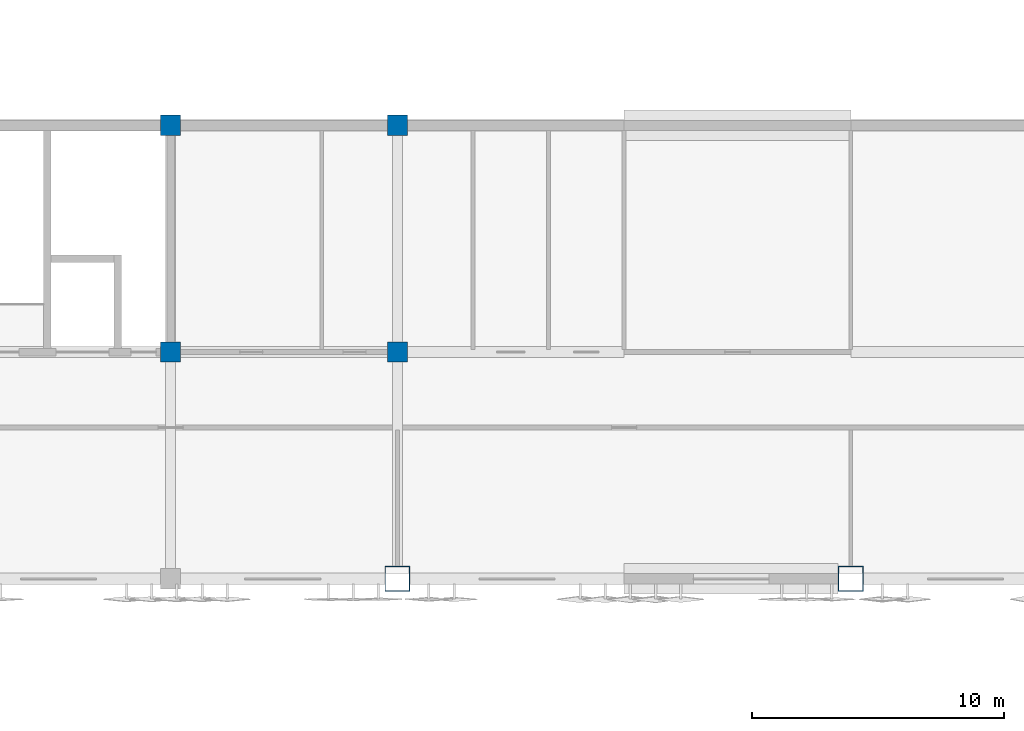
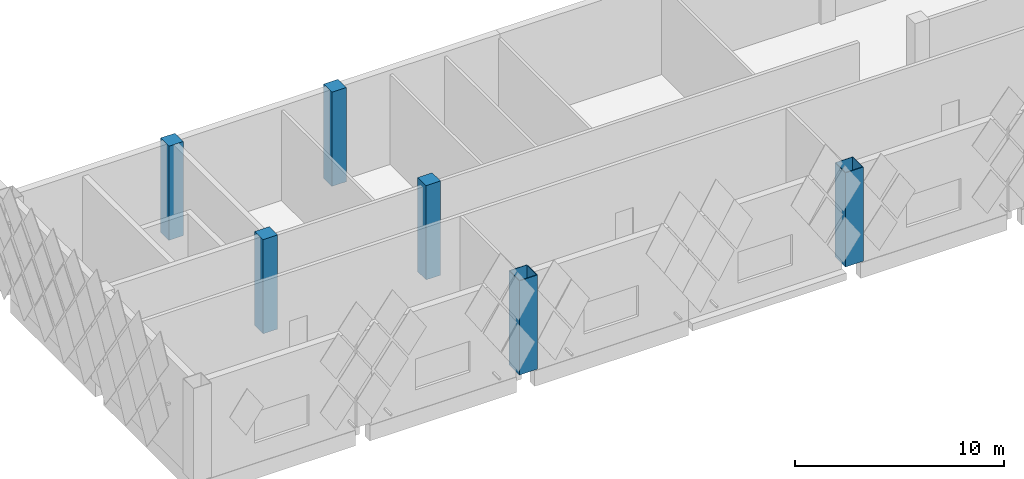
# One storey, part 2 of 185: 6 columns.
"""IFC4 building model written with IfcOpenShell, lengths in metres."""

from ifc_helpers import new_model, si_unit, direction, frame, origin, origin_2d, place, context, subcontext, project, spatial, rectangle, hollow_rectangle, extrude, material, material_profile, profile_set, type_object, element, save


model = new_model("IFC4")

# Units and contexts
model_context = context("Model", 3, precision=1e-05, world=origin(), true_north=direction((0.0, 1.0)))
body_context = subcontext(model_context, "Body", "Model", "MODEL_VIEW")
ifc_project = project(units=[si_unit("LENGTHUNIT", "METRE"), si_unit("AREAUNIT", "SQUARE_METRE"), si_unit("VOLUMEUNIT", "CUBIC_METRE"), si_unit("PLANEANGLEUNIT", "RADIAN"), si_unit("MASSUNIT", "GRAM", prefix="KILO")], contexts=[model_context])

# Site, building, storey
site_placement = place(None, origin())
site = spatial("IfcSite", under=ifc_project, at=site_placement, CompositionType="ELEMENT")
building_placement = place(site_placement, origin())
building = spatial("IfcBuilding", under=site, at=building_placement, Name="Opaline Strait Convention Centre", CompositionType="ELEMENT")
storey_placement = place(building_placement, frame((0.0, 0.0, 6.0)))
storey = spatial("IfcBuildingStorey", under=building, at=storey_placement, Name="L01", CompositionType="ELEMENT", Elevation=6.0)

# Columns
ifc_material_1 = material(Name="Steel Q355B", Category="steel")
ifc_material_profile_1 = material_profile(ifc_material_1, hollow_rectangle(XDim=1.0, YDim=1.0, WallThickness=0.031982421875, at=origin_2d()), Name="BOX 1000x1000x32")
ifc_profile_set_1 = profile_set([ifc_material_profile_1], Name="Steel Q355B")
column_type_1 = type_object("IfcColumnType", Name="CFT column BOX 1000x1000x32 C60 fill", PredefinedType="COLUMN", material=ifc_profile_set_1)
for number, where, z_axis, x_axis, name in (
    (1, (117.0, 54.0, 0.0), (0.0, 0.0, 1.0), (1.0, 0.0, 0.0), "Roof column XC-08"),
    (2, (135.0, 54.0, 0.0), (0.0, 0.0, 1.0), (1.0, 0.0, 0.0), "Roof column XC-10"),
):
    element("IfcColumn", number, at=place(storey_placement, frame(where, z_axis=z_axis, x_axis=x_axis)), inside=storey, type_object=column_type_1, Name=name, ObjectType="XC1", PredefinedType="COLUMN", context=body_context, shape_type="SweptSolid", body=[
        extrude(hollow_rectangle(XDim=1.0, YDim=1.0, WallThickness=0.031982421875, at=origin_2d()), origin(), (0.0, 0.0, 1.0), 5.5),
    ])
ifc_material_2 = material(Name="Concrete C40", Category="concrete")
ifc_material_profile_2 = material_profile(ifc_material_2, rectangle(XDim=0.800048828125, YDim=0.800048828125, at=origin_2d()), Name="RC 800x800")
ifc_profile_set_2 = profile_set([ifc_material_profile_2], Name="Concrete C40")
column_type_2 = type_object("IfcColumnType", Name="RC column 800x800 C40", PredefinedType="COLUMN", material=ifc_profile_set_2)
for number, where, z_axis, x_axis, name in (
    (3, (108.0, 63.0, 0.0), (0.0, 0.0, 1.0), (1.0, 0.0, 0.0), "Strip column XC-38"),
    (4, (117.0, 63.0, 0.0), (0.0, 0.0, 1.0), (1.0, 0.0, 0.0), "Strip column XC-39"),
    (5, (108.0, 72.0, 0.0), (0.0, 0.0, 1.0), (1.0, 0.0, 0.0), "Strip column XC-50"),
    (6, (117.0, 72.0, 0.0), (0.0, 0.0, 1.0), (1.0, 0.0, 0.0), "Strip column XC-51"),
):
    element("IfcColumn", number, at=place(storey_placement, frame(where, z_axis=z_axis, x_axis=x_axis)), inside=storey, type_object=column_type_2, Name=name, ObjectType="XC2", PredefinedType="COLUMN", context=body_context, shape_type="SweptSolid", body=[
        extrude(rectangle(XDim=0.800048828125, YDim=0.800048828125, at=origin_2d()), origin(), (0.0, 0.0, 1.0), 5.5),
    ])

save(model, "model.ifc")
